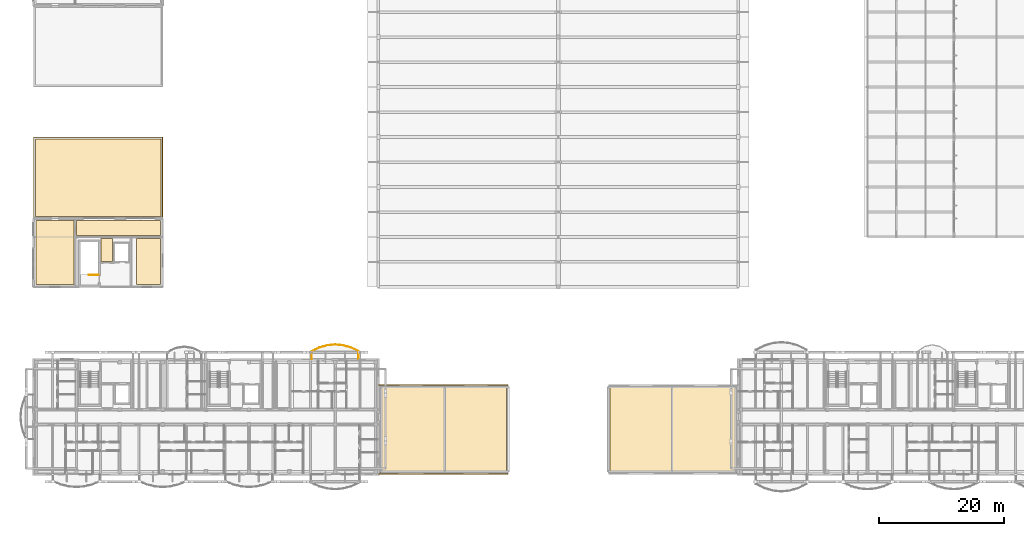
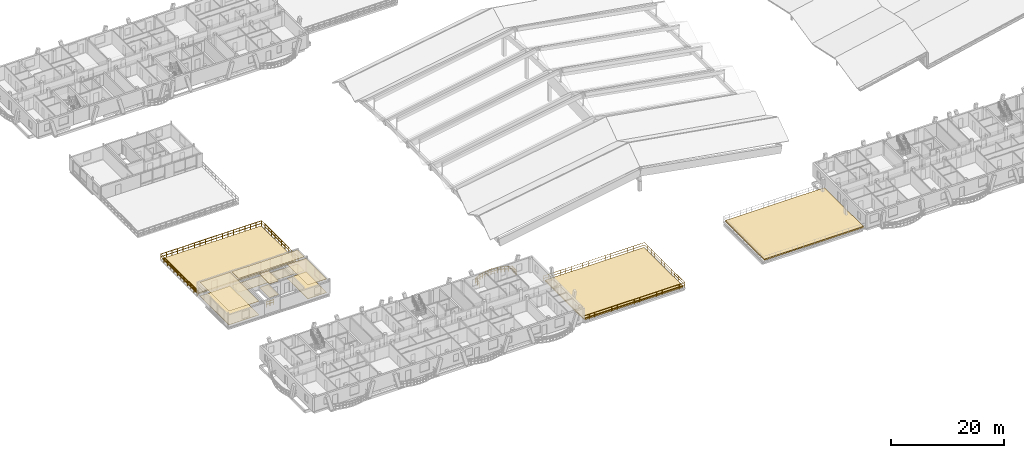
# One storey, part 91 of 109: 11 coverings, 4 railings.
"""IFC4 building model written with IfcOpenShell, lengths in metres."""

from ifc_helpers import new_model, si_unit, direction, frame, origin, origin_2d, place, context, subcontext, project, spatial, polyline, rectangle, outline, extrude, material, layer, layer_set, type_object, element, save


model = new_model("IFC4")

# Units and contexts
model_context = context("Model", 3, precision=1e-05, world=origin(), true_north=direction((0.0, 1.0)))
body_context = subcontext(model_context, "Body", "Model", "MODEL_VIEW")
ifc_project = project(units=[si_unit("LENGTHUNIT", "METRE"), si_unit("AREAUNIT", "SQUARE_METRE"), si_unit("VOLUMEUNIT", "CUBIC_METRE"), si_unit("PLANEANGLEUNIT", "RADIAN"), si_unit("MASSUNIT", "GRAM", prefix="KILO")], contexts=[model_context])

# Site, building, storey
site_placement = place(None, origin())
site = spatial("IfcSite", under=ifc_project, at=site_placement, CompositionType="ELEMENT")
building_placement = place(site_placement, origin())
building = spatial("IfcBuilding", under=site, at=building_placement, Name="Zavelmont Quarter", CompositionType="ELEMENT")
storey_placement = place(building_placement, frame((0.0, 0.0, 8.0)))
storey = spatial("IfcBuildingStorey", under=building, at=storey_placement, Name="L02", CompositionType="ELEMENT", Elevation=8.0)

# Coverings
ifc_material_1 = material(Name="Perforated acoustic gypsum board")
ifc_layer_1 = layer(ifc_material_1, 0.02490234375)
ifc_layer_set_1 = layer_set([ifc_layer_1], Name="Perforated acoustic gypsum board")
covering_type_1 = type_object("IfcCoveringType", Name="CV-CL01", PredefinedType="CEILING", material=ifc_layer_set_1)
covering_1_placement = place(storey_placement, frame((0.0, 0.0, 2.965087890625)))
element("IfcCovering", 1, at=covering_1_placement, inside=storey, type_object=covering_type_1, Name="L02 Lobby Vestibule acoustic ceiling", PredefinedType="CEILING", context=body_context, shape_type="SweptSolid", body=[
    extrude(outline(polyline([(10.780029296875, 37.719970703125), (12.669921875, 37.719970703125), (12.669921875, 34.080078125), (10.780029296875, 34.080078125), (10.780029296875, 37.719970703125)])), origin(), (0.0, 0.0, 1.0), 0.02490234375),
])
covering_2_placement = place(storey_placement, frame((0.0, 0.0, 2.965087890625)))
element("IfcCovering", 2, at=covering_2_placement, inside=storey, type_object=covering_type_1, Name="L02 South Roof Garden Corridor acoustic ceiling", PredefinedType="CEILING", context=body_context, shape_type="SweptSolid", body=[
    extrude(outline(polyline([(6.8798828125, 40.669921875), (20.320068359375, 40.669921875), (20.320068359375, 38.22998046875), (6.8798828125, 38.22998046875), (6.8798828125, 40.669921875)])), origin(), (0.0, 0.0, 1.0), 0.02490234375),
])
covering_3_placement = place(storey_placement, frame((0.0, 0.0, 2.965087890625)))
element("IfcCovering", 3, at=covering_3_placement, inside=storey, type_object=covering_type_1, Name="L02 Garden Conservatory Lounge acoustic ceiling", PredefinedType="CEILING", context=body_context, shape_type="SweptSolid", body=[
    extrude(outline(polyline([(0.3798828125, 40.669921875), (6.52001953125, 40.669921875), (6.52001953125, 30.3798828125), (0.3798828125, 30.3798828125), (0.3798828125, 40.669921875)])), origin(), (0.0, 0.0, 1.0), 0.02490234375),
])
covering_4_placement = place(storey_placement, frame((0.0, 0.0, 2.965087890625)))
element("IfcCovering", 4, at=covering_4_placement, inside=storey, type_object=covering_type_1, Name="L02 Potting and Garden Room acoustic ceiling", PredefinedType="CEILING", context=body_context, shape_type="SweptSolid", body=[
    extrude(outline(polyline([(16.47998046875, 37.719970703125), (20.320068359375, 37.719970703125), (20.320068359375, 30.3798828125), (16.47998046875, 30.3798828125), (16.47998046875, 37.719970703125)])), origin(), (0.0, 0.0, 1.0), 0.02490234375),
])
ifc_material_2 = material(Name="Engineered European oak parquet")
ifc_layer_2 = layer(ifc_material_2, 0.02197265625)
ifc_layer_set_2 = layer_set([ifc_layer_2], Name="Engineered European oak parquet")
covering_type_2 = type_object("IfcCoveringType", Name="CV-FL01", PredefinedType="FLOORING", material=ifc_layer_set_2)
covering_5_placement = place(storey_placement, origin())
element("IfcCovering", 5, at=covering_5_placement, inside=storey, type_object=covering_type_2, Name="L02 Lobby Vestibule floor finish", PredefinedType="FLOORING", context=body_context, shape_type="SweptSolid", body=[
    extrude(outline(polyline([(10.780029296875, 37.719970703125), (12.669921875, 37.719970703125), (12.669921875, 34.080078125), (10.780029296875, 34.080078125), (10.780029296875, 37.719970703125)])), origin(), (0.0, 0.0, 1.0), 0.02197265625),
])
covering_6_placement = place(storey_placement, origin())
element("IfcCovering", 6, at=covering_6_placement, inside=storey, type_object=covering_type_2, Name="L02 South Roof Garden Corridor floor finish", PredefinedType="FLOORING", context=body_context, shape_type="SweptSolid", body=[
    extrude(outline(polyline([(6.8798828125, 40.669921875), (20.320068359375, 40.669921875), (20.320068359375, 38.22998046875), (6.8798828125, 38.22998046875), (6.8798828125, 40.669921875)])), origin(), (0.0, 0.0, 1.0), 0.02197265625),
])
covering_7_placement = place(storey_placement, origin())
element("IfcCovering", 7, at=covering_7_placement, inside=storey, type_object=covering_type_2, Name="L02 Garden Conservatory Lounge floor finish", PredefinedType="FLOORING", context=body_context, shape_type="SweptSolid", body=[
    extrude(outline(polyline([(0.3798828125, 40.669921875), (6.52001953125, 40.669921875), (6.52001953125, 30.3798828125), (0.3798828125, 30.3798828125), (0.3798828125, 40.669921875)])), origin(), (0.0, 0.0, 1.0), 0.02197265625),
])
covering_8_placement = place(storey_placement, origin())
element("IfcCovering", 8, at=covering_8_placement, inside=storey, type_object=covering_type_2, Name="L02 Potting and Garden Room floor finish", PredefinedType="FLOORING", context=body_context, shape_type="SweptSolid", body=[
    extrude(outline(polyline([(16.47998046875, 37.719970703125), (20.320068359375, 37.719970703125), (20.320068359375, 30.3798828125), (16.47998046875, 30.3798828125), (16.47998046875, 37.719970703125)])), origin(), (0.0, 0.0, 1.0), 0.02197265625),
])
ifc_material_3 = material(Name="EPDM waterproofing membrane and mineral insulation")
ifc_layer_3 = layer(ifc_material_3, 0.280029296875)
ifc_layer_set_3 = layer_set([ifc_layer_3], Name="EPDM waterproofing membrane and mineral insulation")
covering_type_3 = type_object("IfcCoveringType", Name="CV-RF02", PredefinedType="ROOFING", material=ifc_layer_set_3)
covering_9_placement = place(storey_placement, origin())
element("IfcCovering", 9, at=covering_9_placement, inside=storey, type_object=covering_type_3, Name="L02 roof build-up CV-RF02", PredefinedType="ROOFING", context=body_context, shape_type="SweptSolid", body=[
    extrude(outline(polyline([(55.5, 0.300048828125), (75.699951171875, 0.300048828125), (75.699951171875, 14.10009765625), (55.5, 14.10009765625), (55.5, 0.300048828125)])), origin(), (0.0, 0.0, 1.0), 0.280029296875),
])
covering_10_placement = place(storey_placement, origin())
element("IfcCovering", 10, at=covering_10_placement, inside=storey, type_object=covering_type_3, Name="L02 roof build-up CV-RF02", PredefinedType="ROOFING", context=body_context, shape_type="SweptSolid", body=[
    extrude(outline(polyline([(92.300048828125, 0.300048828125), (112.5, 0.300048828125), (112.5, 14.10009765625), (92.300048828125, 14.10009765625), (92.300048828125, 0.300048828125)])), origin(), (0.0, 0.0, 1.0), 0.280029296875),
])
covering_11_placement = place(storey_placement, origin())
element("IfcCovering", 11, at=covering_11_placement, inside=storey, type_object=covering_type_3, Name="L02 roof build-up CV-RF02", PredefinedType="ROOFING", context=body_context, shape_type="SweptSolid", body=[
    extrude(outline(polyline([(0.300048828125, 41.300048828125), (20.39990234375, 41.300048828125), (20.39990234375, 53.699951171875), (0.300048828125, 53.699951171875), (0.300048828125, 41.300048828125)])), origin(), (0.0, 0.0, 1.0), 0.280029296875),
])

# Railings
ifc_material_4 = material(Name="Powder-coated steel and tempered double safety glass", Category="steel")
railing_type_1 = type_object("IfcRailingType", Name="RL-BAL1", PredefinedType="BALUSTRADE", material=ifc_material_4)
railing_1_placement = place(storey_placement, frame((52.044921875, 18.419921875, 0.0)))
element("IfcRailing", 12, at=railing_1_placement, inside=storey, type_object=railing_type_1, Name="L02 Block A curved balcony guard RL-BAL1", PredefinedType="BALUSTRADE", context=body_context, shape_type="SweptSolid", body=[
    extrude(rectangle(XDim=0.048095703125, YDim=0.048095703125, at=origin_2d()), frame((0.0, 0.0, 1.076171875), z_axis=(0.0, 1.0, 0.0), x_axis=(-1.0, 0.0, 0.0)), (0.0, 0.0, 1.0), 1.31298828125),
    extrude(rectangle(XDim=0.048095703125, YDim=0.048095703125, at=origin_2d()), frame((0.0, 0.0, 0.550048828125), z_axis=(0.0, 1.0, 0.0), x_axis=(-1.0, 0.0, 0.0)), (0.0, 0.0, 1.0), 1.31298828125),
    extrude(rectangle(XDim=0.048095703125, YDim=0.048095703125, at=origin_2d()), frame((0.0, 1.31298828125, 1.076171875), z_axis=(-0.906391356898, 0.422438999313, 0.0), x_axis=(-0.422438999313, -0.906391356898, 0.0)), (0.0, 0.0, 1.0), 1.377197265625),
    extrude(rectangle(XDim=0.048095703125, YDim=0.048095703125, at=origin_2d()), frame((0.0, 1.31298828125, 0.550048828125), z_axis=(-0.906391356898, 0.422438999313, 0.0), x_axis=(-0.422438999313, -0.906391356898, 0.0)), (0.0, 0.0, 1.0), 1.377197265625),
    extrude(rectangle(XDim=0.048095703125, YDim=0.048095703125, at=origin_2d()), frame((-1.248291015625, 1.894775390625, 1.076171875), z_axis=(-0.963093023661, 0.269168771917, 0.0), x_axis=(-0.269168771917, -0.963093023661, 0.0)), (0.0, 0.0, 1.0), 1.296142578125),
    extrude(rectangle(XDim=0.048095703125, YDim=0.048095703125, at=origin_2d()), frame((-1.248291015625, 1.894775390625, 0.550048828125), z_axis=(-0.963093023661, 0.269168771917, 0.0), x_axis=(-0.269168771917, -0.963093023661, 0.0)), (0.0, 0.0, 1.0), 1.296142578125),
    extrude(rectangle(XDim=0.048095703125, YDim=0.048095703125, at=origin_2d()), frame((-2.49658203125, 2.24365234375, 1.076171875), z_axis=(-0.995676538772, 0.092888266965, 0.0), x_axis=(-0.092888266965, -0.995676538772, 0.0)), (0.0, 0.0, 1.0), 1.253662109375),
    extrude(rectangle(XDim=0.048095703125, YDim=0.048095703125, at=origin_2d()), frame((-2.49658203125, 2.24365234375, 0.550048828125), z_axis=(-0.995676538772, 0.092888266965, 0.0), x_axis=(-0.092888266965, -0.995676538772, 0.0)), (0.0, 0.0, 1.0), 1.253662109375),
    extrude(rectangle(XDim=0.048095703125, YDim=0.048095703125, at=origin_2d()), frame((-3.744873046875, 2.360107421875, 1.076171875), z_axis=(-0.995676538772, -0.092888266965, 0.0), x_axis=(0.092888266965, -0.995676538772, 0.0)), (0.0, 0.0, 1.0), 1.253662109375),
    extrude(rectangle(XDim=0.048095703125, YDim=0.048095703125, at=origin_2d()), frame((-3.744873046875, 2.360107421875, 0.550048828125), z_axis=(-0.995676538772, -0.092888266965, 0.0), x_axis=(0.092888266965, -0.995676538772, 0.0)), (0.0, 0.0, 1.0), 1.253662109375),
    extrude(rectangle(XDim=0.048095703125, YDim=0.048095703125, at=origin_2d()), frame((-4.9931640625, 2.24365234375, 1.076171875), z_axis=(-0.963106667093, -0.269119950582, 0.0), x_axis=(0.269119950582, -0.963106667093, 0.0)), (0.0, 0.0, 1.0), 1.29638671875),
    extrude(rectangle(XDim=0.048095703125, YDim=0.048095703125, at=origin_2d()), frame((-4.9931640625, 2.24365234375, 0.550048828125), z_axis=(-0.963106667093, -0.269119950582, 0.0), x_axis=(0.269119950582, -0.963106667093, 0.0)), (0.0, 0.0, 1.0), 1.29638671875),
    extrude(rectangle(XDim=0.048095703125, YDim=0.048095703125, at=origin_2d()), frame((-6.24169921875, 1.894775390625, 1.076171875), z_axis=(-0.906391356898, -0.422438999313, 0.0), x_axis=(0.422438999313, -0.906391356898, 0.0)), (0.0, 0.0, 1.0), 1.377197265625),
    extrude(rectangle(XDim=0.048095703125, YDim=0.048095703125, at=origin_2d()), frame((-6.24169921875, 1.894775390625, 0.550048828125), z_axis=(-0.906391356898, -0.422438999313, 0.0), x_axis=(0.422438999313, -0.906391356898, 0.0)), (0.0, 0.0, 1.0), 1.377197265625),
    extrude(rectangle(XDim=0.048095703125, YDim=0.048095703125, at=origin_2d()), frame((-7.489990234375, 1.31298828125, 1.076171875), z_axis=(0.0, -1.0, 0.0), x_axis=(1.0, 0.0, 0.0)), (0.0, 0.0, 1.0), 1.31298828125),
    extrude(rectangle(XDim=0.048095703125, YDim=0.048095703125, at=origin_2d()), frame((-7.489990234375, 1.31298828125, 0.550048828125), z_axis=(0.0, -1.0, 0.0), x_axis=(1.0, 0.0, 0.0)), (0.0, 0.0, 1.0), 1.31298828125),
    extrude(rectangle(XDim=0.0419921875, YDim=0.0419921875, at=origin_2d()), origin(), (0.0, 0.0, 1.0), 1.052001953125),
    extrude(rectangle(XDim=0.0419921875, YDim=0.0419921875, at=origin_2d()), frame((0.0, 0.656494140625, 0.0)), (0.0, 0.0, 1.0), 1.052001953125),
    extrude(rectangle(XDim=0.0419921875, YDim=0.0419921875, at=origin_2d()), frame((0.0, 1.31298828125, 0.0)), (0.0, 0.0, 1.0), 1.052001953125),
    extrude(rectangle(XDim=0.0419921875, YDim=0.0419921875, at=origin_2d()), frame((-0.6240234375, 1.60400390625, 0.0)), (0.0, 0.0, 1.0), 1.052001953125),
    extrude(rectangle(XDim=0.0419921875, YDim=0.0419921875, at=origin_2d()), frame((-1.248291015625, 1.894775390625, 0.0)), (0.0, 0.0, 1.0), 1.052001953125),
    extrude(rectangle(XDim=0.0419921875, YDim=0.0419921875, at=origin_2d()), frame((-1.87255859375, 2.0693359375, 0.0)), (0.0, 0.0, 1.0), 1.052001953125),
    extrude(rectangle(XDim=0.0419921875, YDim=0.0419921875, at=origin_2d()), frame((-2.49658203125, 2.24365234375, 0.0)), (0.0, 0.0, 1.0), 1.052001953125),
    extrude(rectangle(XDim=0.0419921875, YDim=0.0419921875, at=origin_2d()), frame((-3.12060546875, 2.3017578125, 0.0)), (0.0, 0.0, 1.0), 1.052001953125),
    extrude(rectangle(XDim=0.0419921875, YDim=0.0419921875, at=origin_2d()), frame((-3.744873046875, 2.360107421875, 0.0)), (0.0, 0.0, 1.0), 1.052001953125),
    extrude(rectangle(XDim=0.0419921875, YDim=0.0419921875, at=origin_2d()), frame((-4.369140625, 2.3017578125, 0.0)), (0.0, 0.0, 1.0), 1.052001953125),
    extrude(rectangle(XDim=0.0419921875, YDim=0.0419921875, at=origin_2d()), frame((-4.9931640625, 2.24365234375, 0.0)), (0.0, 0.0, 1.0), 1.052001953125),
    extrude(rectangle(XDim=0.0419921875, YDim=0.0419921875, at=origin_2d()), frame((-5.617431640625, 2.0693359375, 0.0)), (0.0, 0.0, 1.0), 1.052001953125),
    extrude(rectangle(XDim=0.0419921875, YDim=0.0419921875, at=origin_2d()), frame((-6.24169921875, 1.894775390625, 0.0)), (0.0, 0.0, 1.0), 1.052001953125),
    extrude(rectangle(XDim=0.0419921875, YDim=0.0419921875, at=origin_2d()), frame((-6.86572265625, 1.60400390625, 0.0)), (0.0, 0.0, 1.0), 1.052001953125),
    extrude(rectangle(XDim=0.0419921875, YDim=0.0419921875, at=origin_2d()), frame((-7.489990234375, 1.31298828125, 0.0)), (0.0, 0.0, 1.0), 1.052001953125),
    extrude(rectangle(XDim=0.0419921875, YDim=0.0419921875, at=origin_2d()), frame((-7.489990234375, 0.656494140625, 0.0)), (0.0, 0.0, 1.0), 1.052001953125),
    extrude(rectangle(XDim=0.0419921875, YDim=0.0419921875, at=origin_2d()), frame((-7.489990234375, 0.0, 0.0)), (0.0, 0.0, 1.0), 1.052001953125),
])
railing_type_2 = type_object("IfcRailingType", Name="RL-GDN1", PredefinedType="BALUSTRADE", material=ifc_material_4)
railing_2_placement = place(storey_placement, frame((0.050048828125, 41.0, 0.0)))
element("IfcRailing", 13, at=railing_2_placement, inside=storey, type_object=railing_type_2, Name="L02 South Planted Roof Garden guard RL-GDN1", PredefinedType="BALUSTRADE", context=body_context, shape_type="SweptSolid", body=[
    extrude(rectangle(XDim=0.048095703125, YDim=0.048095703125, at=origin_2d()), frame((0.0, 0.0, 1.1259765625), z_axis=(0.0, 1.0, 0.0), x_axis=(-1.0, 0.0, 0.0)), (0.0, 0.0, 1.0), 12.949951171875),
    extrude(rectangle(XDim=0.048095703125, YDim=0.048095703125, at=origin_2d()), frame((0.0, 0.0, 0.574951171875), z_axis=(0.0, 1.0, 0.0), x_axis=(-1.0, 0.0, 0.0)), (0.0, 0.0, 1.0), 12.949951171875),
    extrude(rectangle(XDim=0.048095703125, YDim=0.048095703125, at=origin_2d()), frame((0.0, 12.949951171875, 1.1259765625), z_axis=(1.0, 0.0, 0.0), x_axis=(0.0, 1.0, 0.0)), (0.0, 0.0, 1.0), 20.599853515625),
    extrude(rectangle(XDim=0.048095703125, YDim=0.048095703125, at=origin_2d()), frame((0.0, 12.949951171875, 0.574951171875), z_axis=(1.0, 0.0, 0.0), x_axis=(0.0, 1.0, 0.0)), (0.0, 0.0, 1.0), 20.599853515625),
    extrude(rectangle(XDim=0.048095703125, YDim=0.048095703125, at=origin_2d()), frame((20.599853515625, 12.949951171875, 1.1259765625), z_axis=(0.0, -1.0, 0.0), x_axis=(1.0, 0.0, 0.0)), (0.0, 0.0, 1.0), 12.949951171875),
    extrude(rectangle(XDim=0.048095703125, YDim=0.048095703125, at=origin_2d()), frame((20.599853515625, 12.949951171875, 0.574951171875), z_axis=(0.0, -1.0, 0.0), x_axis=(1.0, 0.0, 0.0)), (0.0, 0.0, 1.0), 12.949951171875),
    extrude(rectangle(XDim=0.0419921875, YDim=0.0419921875, at=origin_2d()), origin(), (0.0, 0.0, 1.0), 1.101806640625),
    extrude(rectangle(XDim=0.0419921875, YDim=0.0419921875, at=origin_2d()), frame((0.0, 1.17724609375, 0.0)), (0.0, 0.0, 1.0), 1.101806640625),
    extrude(rectangle(XDim=0.0419921875, YDim=0.0419921875, at=origin_2d()), frame((0.0, 2.3544921875, 0.0)), (0.0, 0.0, 1.0), 1.101806640625),
    extrude(rectangle(XDim=0.0419921875, YDim=0.0419921875, at=origin_2d()), frame((0.0, 3.53173828125, 0.0)), (0.0, 0.0, 1.0), 1.101806640625),
    extrude(rectangle(XDim=0.0419921875, YDim=0.0419921875, at=origin_2d()), frame((0.0, 4.708984375, 0.0)), (0.0, 0.0, 1.0), 1.101806640625),
    extrude(rectangle(XDim=0.0419921875, YDim=0.0419921875, at=origin_2d()), frame((0.0, 5.88623046875, 0.0)), (0.0, 0.0, 1.0), 1.101806640625),
    extrude(rectangle(XDim=0.0419921875, YDim=0.0419921875, at=origin_2d()), frame((0.0, 7.063720703125, 0.0)), (0.0, 0.0, 1.0), 1.101806640625),
    extrude(rectangle(XDim=0.0419921875, YDim=0.0419921875, at=origin_2d()), frame((0.0, 8.240966796875, 0.0)), (0.0, 0.0, 1.0), 1.101806640625),
    extrude(rectangle(XDim=0.0419921875, YDim=0.0419921875, at=origin_2d()), frame((0.0, 9.418212890625, 0.0)), (0.0, 0.0, 1.0), 1.101806640625),
    extrude(rectangle(XDim=0.0419921875, YDim=0.0419921875, at=origin_2d()), frame((0.0, 10.595458984375, 0.0)), (0.0, 0.0, 1.0), 1.101806640625),
    extrude(rectangle(XDim=0.0419921875, YDim=0.0419921875, at=origin_2d()), frame((0.0, 11.772705078125, 0.0)), (0.0, 0.0, 1.0), 1.101806640625),
    extrude(rectangle(XDim=0.0419921875, YDim=0.0419921875, at=origin_2d()), frame((0.0, 12.949951171875, 0.0)), (0.0, 0.0, 1.0), 1.101806640625),
    extrude(rectangle(XDim=0.0419921875, YDim=0.0419921875, at=origin_2d()), frame((1.14453125, 12.949951171875, 0.0)), (0.0, 0.0, 1.0), 1.101806640625),
    extrude(rectangle(XDim=0.0419921875, YDim=0.0419921875, at=origin_2d()), frame((2.288818359375, 12.949951171875, 0.0)), (0.0, 0.0, 1.0), 1.101806640625),
    extrude(rectangle(XDim=0.0419921875, YDim=0.0419921875, at=origin_2d()), frame((3.433349609375, 12.949951171875, 0.0)), (0.0, 0.0, 1.0), 1.101806640625),
    extrude(rectangle(XDim=0.0419921875, YDim=0.0419921875, at=origin_2d()), frame((4.57763671875, 12.949951171875, 0.0)), (0.0, 0.0, 1.0), 1.101806640625),
    extrude(rectangle(XDim=0.0419921875, YDim=0.0419921875, at=origin_2d()), frame((5.72216796875, 12.949951171875, 0.0)), (0.0, 0.0, 1.0), 1.101806640625),
    extrude(rectangle(XDim=0.0419921875, YDim=0.0419921875, at=origin_2d()), frame((6.86669921875, 12.949951171875, 0.0)), (0.0, 0.0, 1.0), 1.101806640625),
    extrude(rectangle(XDim=0.0419921875, YDim=0.0419921875, at=origin_2d()), frame((8.010986328125, 12.949951171875, 0.0)), (0.0, 0.0, 1.0), 1.101806640625),
    extrude(rectangle(XDim=0.0419921875, YDim=0.0419921875, at=origin_2d()), frame((9.155517578125, 12.949951171875, 0.0)), (0.0, 0.0, 1.0), 1.101806640625),
    extrude(rectangle(XDim=0.0419921875, YDim=0.0419921875, at=origin_2d()), frame((10.2998046875, 12.949951171875, 0.0)), (0.0, 0.0, 1.0), 1.101806640625),
    extrude(rectangle(XDim=0.0419921875, YDim=0.0419921875, at=origin_2d()), frame((11.4443359375, 12.949951171875, 0.0)), (0.0, 0.0, 1.0), 1.101806640625),
    extrude(rectangle(XDim=0.0419921875, YDim=0.0419921875, at=origin_2d()), frame((12.5888671875, 12.949951171875, 0.0)), (0.0, 0.0, 1.0), 1.101806640625),
    extrude(rectangle(XDim=0.0419921875, YDim=0.0419921875, at=origin_2d()), frame((13.733154296875, 12.949951171875, 0.0)), (0.0, 0.0, 1.0), 1.101806640625),
    extrude(rectangle(XDim=0.0419921875, YDim=0.0419921875, at=origin_2d()), frame((14.877685546875, 12.949951171875, 0.0)), (0.0, 0.0, 1.0), 1.101806640625),
    extrude(rectangle(XDim=0.0419921875, YDim=0.0419921875, at=origin_2d()), frame((16.022216796875, 12.949951171875, 0.0)), (0.0, 0.0, 1.0), 1.101806640625),
    extrude(rectangle(XDim=0.0419921875, YDim=0.0419921875, at=origin_2d()), frame((17.16650390625, 12.949951171875, 0.0)), (0.0, 0.0, 1.0), 1.101806640625),
    extrude(rectangle(XDim=0.0419921875, YDim=0.0419921875, at=origin_2d()), frame((18.31103515625, 12.949951171875, 0.0)), (0.0, 0.0, 1.0), 1.101806640625),
    extrude(rectangle(XDim=0.0419921875, YDim=0.0419921875, at=origin_2d()), frame((19.455322265625, 12.949951171875, 0.0)), (0.0, 0.0, 1.0), 1.101806640625),
    extrude(rectangle(XDim=0.0419921875, YDim=0.0419921875, at=origin_2d()), frame((20.599853515625, 12.949951171875, 0.0)), (0.0, 0.0, 1.0), 1.101806640625),
    extrude(rectangle(XDim=0.0419921875, YDim=0.0419921875, at=origin_2d()), frame((20.599853515625, 11.772705078125, 0.0)), (0.0, 0.0, 1.0), 1.101806640625),
    extrude(rectangle(XDim=0.0419921875, YDim=0.0419921875, at=origin_2d()), frame((20.599853515625, 10.595458984375, 0.0)), (0.0, 0.0, 1.0), 1.101806640625),
    extrude(rectangle(XDim=0.0419921875, YDim=0.0419921875, at=origin_2d()), frame((20.599853515625, 9.418212890625, 0.0)), (0.0, 0.0, 1.0), 1.101806640625),
    extrude(rectangle(XDim=0.0419921875, YDim=0.0419921875, at=origin_2d()), frame((20.599853515625, 8.240966796875, 0.0)), (0.0, 0.0, 1.0), 1.101806640625),
    extrude(rectangle(XDim=0.0419921875, YDim=0.0419921875, at=origin_2d()), frame((20.599853515625, 7.063720703125, 0.0)), (0.0, 0.0, 1.0), 1.101806640625),
    extrude(rectangle(XDim=0.0419921875, YDim=0.0419921875, at=origin_2d()), frame((20.599853515625, 5.88623046875, 0.0)), (0.0, 0.0, 1.0), 1.101806640625),
    extrude(rectangle(XDim=0.0419921875, YDim=0.0419921875, at=origin_2d()), frame((20.599853515625, 4.708984375, 0.0)), (0.0, 0.0, 1.0), 1.101806640625),
    extrude(rectangle(XDim=0.0419921875, YDim=0.0419921875, at=origin_2d()), frame((20.599853515625, 3.53173828125, 0.0)), (0.0, 0.0, 1.0), 1.101806640625),
    extrude(rectangle(XDim=0.0419921875, YDim=0.0419921875, at=origin_2d()), frame((20.599853515625, 2.3544921875, 0.0)), (0.0, 0.0, 1.0), 1.101806640625),
    extrude(rectangle(XDim=0.0419921875, YDim=0.0419921875, at=origin_2d()), frame((20.599853515625, 1.17724609375, 0.0)), (0.0, 0.0, 1.0), 1.101806640625),
    extrude(rectangle(XDim=0.0419921875, YDim=0.0419921875, at=origin_2d()), frame((20.599853515625, 0.0, 0.0)), (0.0, 0.0, 1.0), 1.101806640625),
])
ifc_material_5 = material(Name="Powder-coated steel stair guardrail", Category="steel")
railing_type_3 = type_object("IfcRailingType", Name="RL-GRD1", PredefinedType="GUARDRAIL", material=ifc_material_5)
railing_3_placement = place(storey_placement, frame((10.39990234375, 31.89990234375, 0.0)))
element("IfcRailing", 14, at=railing_3_placement, inside=storey, type_object=railing_type_3, Name="L02 ST13 top well guardrail 1", PredefinedType="GUARDRAIL", context=body_context, shape_type="SweptSolid", body=[
    extrude(rectangle(XDim=0.048095703125, YDim=0.048095703125, at=origin_2d()), frame((0.0, 0.0, 1.076171875), z_axis=(-1.0, 0.0, 0.0), x_axis=(0.0, -1.0, 0.0)), (0.0, 0.0, 1.0), 1.5498046875),
    extrude(rectangle(XDim=0.048095703125, YDim=0.048095703125, at=origin_2d()), frame((0.0, 0.0, 0.550048828125), z_axis=(-1.0, 0.0, 0.0), x_axis=(0.0, -1.0, 0.0)), (0.0, 0.0, 1.0), 1.5498046875),
    extrude(rectangle(XDim=0.0419921875, YDim=0.0419921875, at=origin_2d()), origin(), (0.0, 0.0, 1.0), 1.052001953125),
    extrude(rectangle(XDim=0.0419921875, YDim=0.0419921875, at=origin_2d()), frame((-0.77490234375, 0.0, 0.0)), (0.0, 0.0, 1.0), 1.052001953125),
    extrude(rectangle(XDim=0.0419921875, YDim=0.0419921875, at=origin_2d()), frame((-1.5498046875, 0.0, 0.0)), (0.0, 0.0, 1.0), 1.052001953125),
])
railing_type_4 = type_object("IfcRailingType", Name="RL-TER1", PredefinedType="BALUSTRADE", material=ifc_material_4)
railing_4_placement = place(storey_placement, frame((55.25, 0.080078125, 0.0)))
element("IfcRailing", 15, at=railing_4_placement, inside=storey, type_object=railing_type_4, Name="L02 SW Street Arcade roof garden guard RL-TER1", PredefinedType="BALUSTRADE", context=body_context, shape_type="SweptSolid", body=[
    extrude(rectangle(XDim=0.048095703125, YDim=0.048095703125, at=origin_2d()), frame((0.0, 0.0, 1.09619140625), z_axis=(1.0, 0.0, 0.0), x_axis=(0.0, 1.0, 0.0)), (0.0, 0.0, 1.0), 20.669921875),
    extrude(rectangle(XDim=0.048095703125, YDim=0.048095703125, at=origin_2d()), frame((0.0, 0.0, 0.56005859375), z_axis=(1.0, 0.0, 0.0), x_axis=(0.0, 1.0, 0.0)), (0.0, 0.0, 1.0), 20.669921875),
    extrude(rectangle(XDim=0.048095703125, YDim=0.048095703125, at=origin_2d()), frame((20.669921875, 0.0, 1.09619140625), z_axis=(0.0, 1.0, 0.0), x_axis=(-1.0, 0.0, 0.0)), (0.0, 0.0, 1.0), 14.239990234375),
    extrude(rectangle(XDim=0.048095703125, YDim=0.048095703125, at=origin_2d()), frame((20.669921875, 0.0, 0.56005859375), z_axis=(0.0, 1.0, 0.0), x_axis=(-1.0, 0.0, 0.0)), (0.0, 0.0, 1.0), 14.239990234375),
    extrude(rectangle(XDim=0.048095703125, YDim=0.048095703125, at=origin_2d()), frame((20.669921875, 14.239990234375, 1.09619140625), z_axis=(-1.0, 0.0, 0.0), x_axis=(0.0, -1.0, 0.0)), (0.0, 0.0, 1.0), 20.669921875),
    extrude(rectangle(XDim=0.048095703125, YDim=0.048095703125, at=origin_2d()), frame((20.669921875, 14.239990234375, 0.56005859375), z_axis=(-1.0, 0.0, 0.0), x_axis=(0.0, -1.0, 0.0)), (0.0, 0.0, 1.0), 20.669921875),
    extrude(rectangle(XDim=0.0419921875, YDim=0.0419921875, at=origin_2d()), origin(), (0.0, 0.0, 1.0), 1.072021484375),
    extrude(rectangle(XDim=0.0419921875, YDim=0.0419921875, at=origin_2d()), frame((1.1484375, 0.0, 0.0)), (0.0, 0.0, 1.0), 1.072021484375),
    extrude(rectangle(XDim=0.0419921875, YDim=0.0419921875, at=origin_2d()), frame((2.296630859375, 0.0, 0.0)), (0.0, 0.0, 1.0), 1.072021484375),
    extrude(rectangle(XDim=0.0419921875, YDim=0.0419921875, at=origin_2d()), frame((3.445068359375, 0.0, 0.0)), (0.0, 0.0, 1.0), 1.072021484375),
    extrude(rectangle(XDim=0.0419921875, YDim=0.0419921875, at=origin_2d()), frame((4.59326171875, 0.0, 0.0)), (0.0, 0.0, 1.0), 1.072021484375),
    extrude(rectangle(XDim=0.0419921875, YDim=0.0419921875, at=origin_2d()), frame((5.74169921875, 0.0, 0.0)), (0.0, 0.0, 1.0), 1.072021484375),
    extrude(rectangle(XDim=0.0419921875, YDim=0.0419921875, at=origin_2d()), frame((6.889892578125, 0.0, 0.0)), (0.0, 0.0, 1.0), 1.072021484375),
    extrude(rectangle(XDim=0.0419921875, YDim=0.0419921875, at=origin_2d()), frame((8.038330078125, 0.0, 0.0)), (0.0, 0.0, 1.0), 1.072021484375),
    extrude(rectangle(XDim=0.0419921875, YDim=0.0419921875, at=origin_2d()), frame((9.1865234375, 0.0, 0.0)), (0.0, 0.0, 1.0), 1.072021484375),
    extrude(rectangle(XDim=0.0419921875, YDim=0.0419921875, at=origin_2d()), frame((10.3349609375, 0.0, 0.0)), (0.0, 0.0, 1.0), 1.072021484375),
    extrude(rectangle(XDim=0.0419921875, YDim=0.0419921875, at=origin_2d()), frame((11.4833984375, 0.0, 0.0)), (0.0, 0.0, 1.0), 1.072021484375),
    extrude(rectangle(XDim=0.0419921875, YDim=0.0419921875, at=origin_2d()), frame((12.631591796875, 0.0, 0.0)), (0.0, 0.0, 1.0), 1.072021484375),
    extrude(rectangle(XDim=0.0419921875, YDim=0.0419921875, at=origin_2d()), frame((13.780029296875, 0.0, 0.0)), (0.0, 0.0, 1.0), 1.072021484375),
    extrude(rectangle(XDim=0.0419921875, YDim=0.0419921875, at=origin_2d()), frame((14.92822265625, 0.0, 0.0)), (0.0, 0.0, 1.0), 1.072021484375),
    extrude(rectangle(XDim=0.0419921875, YDim=0.0419921875, at=origin_2d()), frame((16.07666015625, 0.0, 0.0)), (0.0, 0.0, 1.0), 1.072021484375),
    extrude(rectangle(XDim=0.0419921875, YDim=0.0419921875, at=origin_2d()), frame((17.224853515625, 0.0, 0.0)), (0.0, 0.0, 1.0), 1.072021484375),
    extrude(rectangle(XDim=0.0419921875, YDim=0.0419921875, at=origin_2d()), frame((18.373291015625, 0.0, 0.0)), (0.0, 0.0, 1.0), 1.072021484375),
    extrude(rectangle(XDim=0.0419921875, YDim=0.0419921875, at=origin_2d()), frame((19.521484375, 0.0, 0.0)), (0.0, 0.0, 1.0), 1.072021484375),
    extrude(rectangle(XDim=0.0419921875, YDim=0.0419921875, at=origin_2d()), frame((20.669921875, 0.0, 0.0)), (0.0, 0.0, 1.0), 1.072021484375),
    extrude(rectangle(XDim=0.0419921875, YDim=0.0419921875, at=origin_2d()), frame((20.669921875, 1.186767578125, 0.0)), (0.0, 0.0, 1.0), 1.072021484375),
    extrude(rectangle(XDim=0.0419921875, YDim=0.0419921875, at=origin_2d()), frame((20.669921875, 2.373291015625, 0.0)), (0.0, 0.0, 1.0), 1.072021484375),
    extrude(rectangle(XDim=0.0419921875, YDim=0.0419921875, at=origin_2d()), frame((20.669921875, 3.56005859375, 0.0)), (0.0, 0.0, 1.0), 1.072021484375),
    extrude(rectangle(XDim=0.0419921875, YDim=0.0419921875, at=origin_2d()), frame((20.669921875, 4.74658203125, 0.0)), (0.0, 0.0, 1.0), 1.072021484375),
    extrude(rectangle(XDim=0.0419921875, YDim=0.0419921875, at=origin_2d()), frame((20.669921875, 5.933349609375, 0.0)), (0.0, 0.0, 1.0), 1.072021484375),
    extrude(rectangle(XDim=0.0419921875, YDim=0.0419921875, at=origin_2d()), frame((20.669921875, 7.1201171875, 0.0)), (0.0, 0.0, 1.0), 1.072021484375),
    extrude(rectangle(XDim=0.0419921875, YDim=0.0419921875, at=origin_2d()), frame((20.669921875, 8.306640625, 0.0)), (0.0, 0.0, 1.0), 1.072021484375),
    extrude(rectangle(XDim=0.0419921875, YDim=0.0419921875, at=origin_2d()), frame((20.669921875, 9.493408203125, 0.0)), (0.0, 0.0, 1.0), 1.072021484375),
    extrude(rectangle(XDim=0.0419921875, YDim=0.0419921875, at=origin_2d()), frame((20.669921875, 10.679931640625, 0.0)), (0.0, 0.0, 1.0), 1.072021484375),
    extrude(rectangle(XDim=0.0419921875, YDim=0.0419921875, at=origin_2d()), frame((20.669921875, 11.86669921875, 0.0)), (0.0, 0.0, 1.0), 1.072021484375),
    extrude(rectangle(XDim=0.0419921875, YDim=0.0419921875, at=origin_2d()), frame((20.669921875, 13.05322265625, 0.0)), (0.0, 0.0, 1.0), 1.072021484375),
    extrude(rectangle(XDim=0.0419921875, YDim=0.0419921875, at=origin_2d()), frame((20.669921875, 14.239990234375, 0.0)), (0.0, 0.0, 1.0), 1.072021484375),
    extrude(rectangle(XDim=0.0419921875, YDim=0.0419921875, at=origin_2d()), frame((19.521484375, 14.239990234375, 0.0)), (0.0, 0.0, 1.0), 1.072021484375),
    extrude(rectangle(XDim=0.0419921875, YDim=0.0419921875, at=origin_2d()), frame((18.373291015625, 14.239990234375, 0.0)), (0.0, 0.0, 1.0), 1.072021484375),
    extrude(rectangle(XDim=0.0419921875, YDim=0.0419921875, at=origin_2d()), frame((17.224853515625, 14.239990234375, 0.0)), (0.0, 0.0, 1.0), 1.072021484375),
    extrude(rectangle(XDim=0.0419921875, YDim=0.0419921875, at=origin_2d()), frame((16.07666015625, 14.239990234375, 0.0)), (0.0, 0.0, 1.0), 1.072021484375),
    extrude(rectangle(XDim=0.0419921875, YDim=0.0419921875, at=origin_2d()), frame((14.92822265625, 14.239990234375, 0.0)), (0.0, 0.0, 1.0), 1.072021484375),
    extrude(rectangle(XDim=0.0419921875, YDim=0.0419921875, at=origin_2d()), frame((13.780029296875, 14.239990234375, 0.0)), (0.0, 0.0, 1.0), 1.072021484375),
    extrude(rectangle(XDim=0.0419921875, YDim=0.0419921875, at=origin_2d()), frame((12.631591796875, 14.239990234375, 0.0)), (0.0, 0.0, 1.0), 1.072021484375),
    extrude(rectangle(XDim=0.0419921875, YDim=0.0419921875, at=origin_2d()), frame((11.4833984375, 14.239990234375, 0.0)), (0.0, 0.0, 1.0), 1.072021484375),
    extrude(rectangle(XDim=0.0419921875, YDim=0.0419921875, at=origin_2d()), frame((10.3349609375, 14.239990234375, 0.0)), (0.0, 0.0, 1.0), 1.072021484375),
    extrude(rectangle(XDim=0.0419921875, YDim=0.0419921875, at=origin_2d()), frame((9.1865234375, 14.239990234375, 0.0)), (0.0, 0.0, 1.0), 1.072021484375),
    extrude(rectangle(XDim=0.0419921875, YDim=0.0419921875, at=origin_2d()), frame((8.038330078125, 14.239990234375, 0.0)), (0.0, 0.0, 1.0), 1.072021484375),
    extrude(rectangle(XDim=0.0419921875, YDim=0.0419921875, at=origin_2d()), frame((6.889892578125, 14.239990234375, 0.0)), (0.0, 0.0, 1.0), 1.072021484375),
    extrude(rectangle(XDim=0.0419921875, YDim=0.0419921875, at=origin_2d()), frame((5.74169921875, 14.239990234375, 0.0)), (0.0, 0.0, 1.0), 1.072021484375),
    extrude(rectangle(XDim=0.0419921875, YDim=0.0419921875, at=origin_2d()), frame((4.59326171875, 14.239990234375, 0.0)), (0.0, 0.0, 1.0), 1.072021484375),
    extrude(rectangle(XDim=0.0419921875, YDim=0.0419921875, at=origin_2d()), frame((3.445068359375, 14.239990234375, 0.0)), (0.0, 0.0, 1.0), 1.072021484375),
    extrude(rectangle(XDim=0.0419921875, YDim=0.0419921875, at=origin_2d()), frame((2.296630859375, 14.239990234375, 0.0)), (0.0, 0.0, 1.0), 1.072021484375),
    extrude(rectangle(XDim=0.0419921875, YDim=0.0419921875, at=origin_2d()), frame((1.1484375, 14.239990234375, 0.0)), (0.0, 0.0, 1.0), 1.072021484375),
    extrude(rectangle(XDim=0.0419921875, YDim=0.0419921875, at=origin_2d()), frame((0.0, 14.239990234375, 0.0)), (0.0, 0.0, 1.0), 1.072021484375),
])

save(model, "model.ifc")
